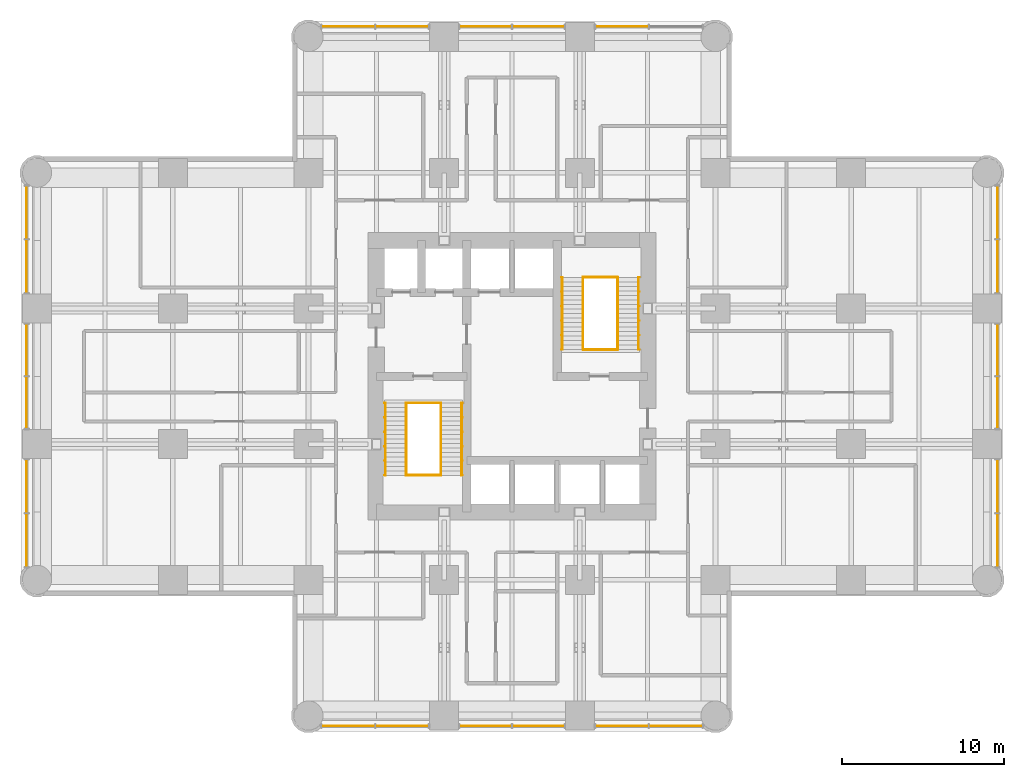
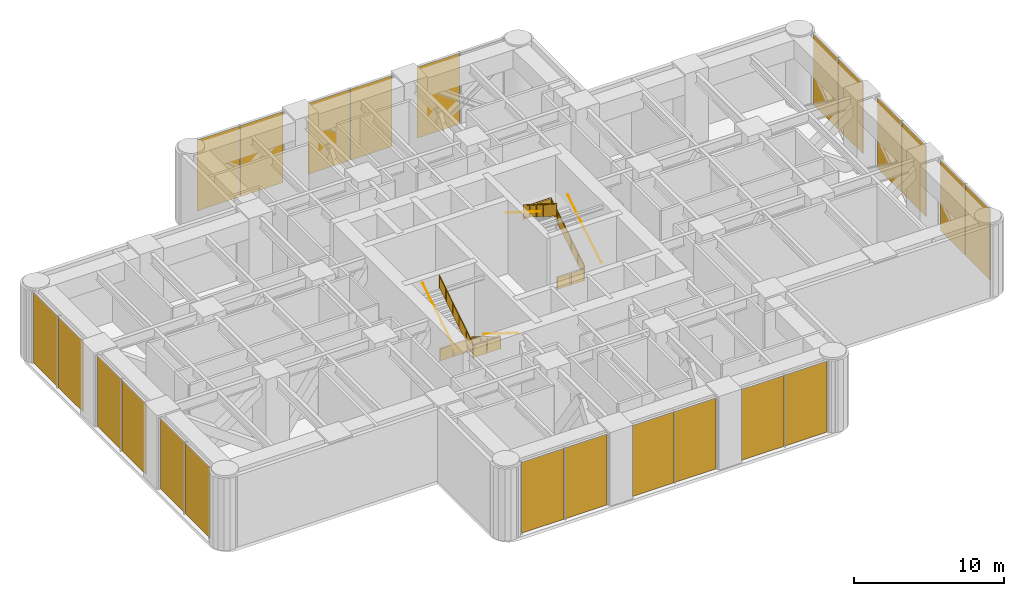
# One storey, part 12 of 13: 23 shading devices, 12 railings, 4 elements without a shape of their own.
"""IFC4 building model written with IfcOpenShell, lengths in metres."""

from ifc_helpers import new_model, si_unit, direction, frame, origin, origin_2d, place, context, subcontext, project, spatial, polyline, rectangle, circle, outline, extrude, material, layer, layer_set, type_object, element, aggregate, save


model = new_model("IFC4")

# Units and contexts
model_context = context("Model", 3, precision=1e-05, world=origin(), true_north=direction((0.0, 1.0)))
body_context = subcontext(model_context, "Body", "Model", "MODEL_VIEW")
ifc_project = project(units=[si_unit("LENGTHUNIT", "METRE"), si_unit("AREAUNIT", "SQUARE_METRE"), si_unit("VOLUMEUNIT", "CUBIC_METRE"), si_unit("PLANEANGLEUNIT", "RADIAN"), si_unit("MASSUNIT", "GRAM", prefix="KILO")], contexts=[model_context])

# Site, building, storey
site_placement = place(None, origin())
site = spatial("IfcSite", under=ifc_project, at=site_placement, CompositionType="ELEMENT")
building_placement = place(site_placement, origin())
building = spatial("IfcBuilding", under=site, at=building_placement, Name="Torre Alcanfor", CompositionType="ELEMENT")
storey_placement = place(building_placement, frame((0.0, 0.0, 177.300048828125)))
storey = spatial("IfcBuildingStorey", under=building, at=storey_placement, Name="L46", CompositionType="ELEMENT", Elevation=177.300048828125)

# Curtain wall, shading devices
ifc_material_1 = material(Name="Aluminium and glass", Category="aluminium")
curtain_wall_type = type_object("IfcCurtainWallType", Name="CW-D plant floor louvre screen", PredefinedType="NOTDEFINED", material=ifc_material_1)
curtain_wall_1_placement = place(storey_placement, origin())
curtain_wall_1 = element("IfcCurtainWall", 1, at=curtain_wall_1_placement, inside=storey, type_object=curtain_wall_type, Name="Curtain wall CW-D L46 2", PredefinedType="NOTDEFINED")
ifc_material_2 = material(Name="Aluminium louvre", Category="aluminium")
ifc_layer = layer(ifc_material_2, 0.028076171875)
ifc_layer_set = layer_set([ifc_layer], Name="CW-D aluminium louvre panel")
shading_device_type = type_object("IfcShadingDeviceType", Name="CW-D aluminium louvre panel", PredefinedType="SHUTTER", material=ifc_layer_set)
shading_device_1_placement = place(storey_placement, frame((-0.64990234375, 39.544189453125, 0.0), z_axis=(0.0, 0.0, 1.0), x_axis=(0.0, -1.0, 0.0)))
shading_device_1 = element("IfcShadingDevice", 2, at=shading_device_1_placement, type_object=shading_device_type, Name="CW-D panel 1.1.1", PredefinedType="SHUTTER", context=body_context, shape_type="SweptSolid", body=[
    extrude(rectangle(XDim=3.27294921875, YDim=0.028076171875, at=origin_2d()), origin(), (0.0, 0.0, 1.0), 5.784912109375),
])
shading_device_2_placement = place(storey_placement, frame((-0.64990234375, 36.20654296875, 0.0), z_axis=(0.0, 0.0, 1.0), x_axis=(0.0, -1.0, 0.0)))
shading_device_2 = element("IfcShadingDevice", 3, at=shading_device_2_placement, type_object=shading_device_type, Name="CW-D panel 1.2.1", PredefinedType="SHUTTER", context=body_context, shape_type="SweptSolid", body=[
    extrude(rectangle(XDim=3.27294921875, YDim=0.028076171875, at=origin_2d()), origin(), (0.0, 0.0, 1.0), 5.784912109375),
])
shading_device_3_placement = place(storey_placement, frame((-0.64990234375, 31.03125, 0.0), z_axis=(0.0, 0.0, 1.0), x_axis=(0.0, -1.0, 0.0)))
shading_device_3 = element("IfcShadingDevice", 4, at=shading_device_3_placement, type_object=shading_device_type, Name="CW-D panel 2.1.1", PredefinedType="SHUTTER", context=body_context, shape_type="SweptSolid", body=[
    extrude(rectangle(XDim=3.197509765625, YDim=0.028076171875, at=origin_2d()), origin(), (0.0, 0.0, 1.0), 5.784912109375),
])
shading_device_4_placement = place(storey_placement, frame((-0.64990234375, 27.768798828125, 0.0), z_axis=(0.0, 0.0, 1.0), x_axis=(0.0, -1.0, 0.0)))
shading_device_4 = element("IfcShadingDevice", 5, at=shading_device_4_placement, type_object=shading_device_type, Name="CW-D panel 2.2.1", PredefinedType="SHUTTER", context=body_context, shape_type="SweptSolid", body=[
    extrude(rectangle(XDim=3.197509765625, YDim=0.028076171875, at=origin_2d()), origin(), (0.0, 0.0, 1.0), 5.784912109375),
])
shading_device_5_placement = place(storey_placement, frame((-0.64990234375, 22.593505859375, 0.0), z_axis=(0.0, 0.0, 1.0), x_axis=(0.0, -1.0, 0.0)))
shading_device_5 = element("IfcShadingDevice", 6, at=shading_device_5_placement, type_object=shading_device_type, Name="CW-D panel 3.1.1", PredefinedType="SHUTTER", context=body_context, shape_type="SweptSolid", body=[
    extrude(rectangle(XDim=3.27294921875, YDim=0.028076171875, at=origin_2d()), origin(), (0.0, 0.0, 1.0), 5.784912109375),
])
shading_device_6_placement = place(storey_placement, frame((-0.64990234375, 19.255615234375, 0.0), z_axis=(0.0, 0.0, 1.0), x_axis=(0.0, -1.0, 0.0)))
shading_device_6 = element("IfcShadingDevice", 7, at=shading_device_6_placement, type_object=shading_device_type, Name="CW-D panel 3.2.1", PredefinedType="SHUTTER", context=body_context, shape_type="SweptSolid", body=[
    extrude(rectangle(XDim=3.27294921875, YDim=0.028076171875, at=origin_2d()), origin(), (0.0, 0.0, 1.0), 5.784912109375),
])
aggregate(curtain_wall_1, [shading_device_1, shading_device_2, shading_device_3, shading_device_4, shading_device_5, shading_device_6])

curtain_wall_2_placement = place(storey_placement, origin())
curtain_wall_2 = element("IfcCurtainWall", 8, at=curtain_wall_2_placement, inside=storey, type_object=curtain_wall_type, Name="Curtain wall CW-D L46 5", PredefinedType="NOTDEFINED")
shading_device_7_placement = place(storey_placement, frame((19.255615234375, 7.75, 0.0), z_axis=(0.0, 0.0, 1.0), x_axis=(1.0, 0.0, 0.0)))
shading_device_7 = element("IfcShadingDevice", 9, at=shading_device_7_placement, type_object=shading_device_type, Name="CW-D panel 1.1.1", PredefinedType="SHUTTER", context=body_context, shape_type="SweptSolid", body=[
    extrude(rectangle(XDim=3.27294921875, YDim=0.028076171875, at=origin_2d()), origin(), (0.0, 0.0, 1.0), 5.784912109375),
])
shading_device_8_placement = place(storey_placement, frame((22.593505859375, 7.75, 0.0), z_axis=(0.0, 0.0, 1.0), x_axis=(1.0, 0.0, 0.0)))
shading_device_8 = element("IfcShadingDevice", 10, at=shading_device_8_placement, type_object=shading_device_type, Name="CW-D panel 1.2.1", PredefinedType="SHUTTER", context=body_context, shape_type="SweptSolid", body=[
    extrude(rectangle(XDim=3.27294921875, YDim=0.028076171875, at=origin_2d()), origin(), (0.0, 0.0, 1.0), 5.784912109375),
])
shading_device_9_placement = place(storey_placement, frame((27.768798828125, 7.75, 0.0), z_axis=(0.0, 0.0, 1.0), x_axis=(1.0, 0.0, 0.0)))
shading_device_9 = element("IfcShadingDevice", 11, at=shading_device_9_placement, type_object=shading_device_type, Name="CW-D panel 2.1.1", PredefinedType="SHUTTER", context=body_context, shape_type="SweptSolid", body=[
    extrude(rectangle(XDim=3.197509765625, YDim=0.028076171875, at=origin_2d()), origin(), (0.0, 0.0, 1.0), 5.784912109375),
])
shading_device_10_placement = place(storey_placement, frame((31.03125, 7.75, 0.0), z_axis=(0.0, 0.0, 1.0), x_axis=(1.0, 0.0, 0.0)))
shading_device_10 = element("IfcShadingDevice", 12, at=shading_device_10_placement, type_object=shading_device_type, Name="CW-D panel 2.2.1", PredefinedType="SHUTTER", context=body_context, shape_type="SweptSolid", body=[
    extrude(rectangle(XDim=3.197509765625, YDim=0.028076171875, at=origin_2d()), origin(), (0.0, 0.0, 1.0), 5.784912109375),
])
shading_device_11_placement = place(storey_placement, frame((36.20654296875, 7.75, 0.0), z_axis=(0.0, 0.0, 1.0), x_axis=(1.0, 0.0, 0.0)))
shading_device_11 = element("IfcShadingDevice", 13, at=shading_device_11_placement, type_object=shading_device_type, Name="CW-D panel 3.1.1", PredefinedType="SHUTTER", context=body_context, shape_type="SweptSolid", body=[
    extrude(rectangle(XDim=3.27294921875, YDim=0.028076171875, at=origin_2d()), origin(), (0.0, 0.0, 1.0), 5.784912109375),
])
shading_device_12_placement = place(storey_placement, frame((39.544189453125, 7.75, 0.0), z_axis=(0.0, 0.0, 1.0), x_axis=(1.0, 0.0, 0.0)))
shading_device_12 = element("IfcShadingDevice", 14, at=shading_device_12_placement, type_object=shading_device_type, Name="CW-D panel 3.2.1", PredefinedType="SHUTTER", context=body_context, shape_type="SweptSolid", body=[
    extrude(rectangle(XDim=3.27294921875, YDim=0.028076171875, at=origin_2d()), origin(), (0.0, 0.0, 1.0), 5.784912109375),
])
aggregate(curtain_wall_2, [shading_device_7, shading_device_8, shading_device_9, shading_device_10, shading_device_11, shading_device_12])

curtain_wall_3_placement = place(storey_placement, origin())
curtain_wall_3 = element("IfcCurtainWall", 15, at=curtain_wall_3_placement, inside=storey, type_object=curtain_wall_type, Name="Curtain wall CW-D L46 8", PredefinedType="NOTDEFINED")
shading_device_13_placement = place(storey_placement, frame((59.449951171875, 19.255615234375, 0.0), z_axis=(0.0, 0.0, 1.0), x_axis=(0.0, 1.0, 0.0)))
shading_device_13 = element("IfcShadingDevice", 16, at=shading_device_13_placement, type_object=shading_device_type, Name="CW-D panel 1.1.1", PredefinedType="SHUTTER", context=body_context, shape_type="SweptSolid", body=[
    extrude(rectangle(XDim=3.27294921875, YDim=0.028076171875, at=origin_2d()), origin(), (0.0, 0.0, 1.0), 5.784912109375),
])
shading_device_14_placement = place(storey_placement, frame((59.449951171875, 22.593505859375, 0.0), z_axis=(0.0, 0.0, 1.0), x_axis=(0.0, 1.0, 0.0)))
shading_device_14 = element("IfcShadingDevice", 17, at=shading_device_14_placement, type_object=shading_device_type, Name="CW-D panel 1.2.1", PredefinedType="SHUTTER", context=body_context, shape_type="SweptSolid", body=[
    extrude(rectangle(XDim=3.27294921875, YDim=0.028076171875, at=origin_2d()), origin(), (0.0, 0.0, 1.0), 5.784912109375),
])
shading_device_15_placement = place(storey_placement, frame((59.449951171875, 27.768798828125, 0.0), z_axis=(0.0, 0.0, 1.0), x_axis=(0.0, 1.0, 0.0)))
shading_device_15 = element("IfcShadingDevice", 18, at=shading_device_15_placement, type_object=shading_device_type, Name="CW-D panel 2.1.1", PredefinedType="SHUTTER", context=body_context, shape_type="SweptSolid", body=[
    extrude(rectangle(XDim=3.197509765625, YDim=0.028076171875, at=origin_2d()), origin(), (0.0, 0.0, 1.0), 5.784912109375),
])
shading_device_16_placement = place(storey_placement, frame((59.449951171875, 31.03125, 0.0), z_axis=(0.0, 0.0, 1.0), x_axis=(0.0, 1.0, 0.0)))
shading_device_16 = element("IfcShadingDevice", 19, at=shading_device_16_placement, type_object=shading_device_type, Name="CW-D panel 2.2.1", PredefinedType="SHUTTER", context=body_context, shape_type="SweptSolid", body=[
    extrude(rectangle(XDim=3.197509765625, YDim=0.028076171875, at=origin_2d()), origin(), (0.0, 0.0, 1.0), 5.784912109375),
])
shading_device_17_placement = place(storey_placement, frame((59.449951171875, 36.20654296875, 0.0), z_axis=(0.0, 0.0, 1.0), x_axis=(0.0, 1.0, 0.0)))
shading_device_17 = element("IfcShadingDevice", 20, at=shading_device_17_placement, type_object=shading_device_type, Name="CW-D panel 3.1.1", PredefinedType="SHUTTER", context=body_context, shape_type="SweptSolid", body=[
    extrude(rectangle(XDim=3.27294921875, YDim=0.028076171875, at=origin_2d()), origin(), (0.0, 0.0, 1.0), 5.784912109375),
])
shading_device_18_placement = place(storey_placement, frame((59.449951171875, 39.544189453125, 0.0), z_axis=(0.0, 0.0, 1.0), x_axis=(0.0, 1.0, 0.0)))
shading_device_18 = element("IfcShadingDevice", 21, at=shading_device_18_placement, type_object=shading_device_type, Name="CW-D panel 3.2.1", PredefinedType="SHUTTER", context=body_context, shape_type="SweptSolid", body=[
    extrude(rectangle(XDim=3.27294921875, YDim=0.028076171875, at=origin_2d()), origin(), (0.0, 0.0, 1.0), 5.784912109375),
])
aggregate(curtain_wall_3, [shading_device_13, shading_device_14, shading_device_15, shading_device_16, shading_device_17, shading_device_18])

curtain_wall_4_placement = place(storey_placement, origin())
curtain_wall_4 = element("IfcCurtainWall", 22, at=curtain_wall_4_placement, inside=storey, type_object=curtain_wall_type, Name="Curtain wall CW-D L46 11", PredefinedType="NOTDEFINED")
shading_device_19_placement = place(storey_placement, frame((36.20654296875, 51.050048828125, 0.0), z_axis=(0.0, 0.0, 1.0), x_axis=(-1.0, 0.0, 0.0)))
shading_device_19 = element("IfcShadingDevice", 23, at=shading_device_19_placement, type_object=shading_device_type, Name="CW-D panel 1.2.1", PredefinedType="SHUTTER", context=body_context, shape_type="SweptSolid", body=[
    extrude(rectangle(XDim=3.27294921875, YDim=0.028076171875, at=origin_2d()), origin(), (0.0, 0.0, 1.0), 5.784912109375),
])
shading_device_20_placement = place(storey_placement, frame((31.03125, 51.050048828125, 0.0), z_axis=(0.0, 0.0, 1.0), x_axis=(-1.0, 0.0, 0.0)))
shading_device_20 = element("IfcShadingDevice", 24, at=shading_device_20_placement, type_object=shading_device_type, Name="CW-D panel 2.1.1", PredefinedType="SHUTTER", context=body_context, shape_type="SweptSolid", body=[
    extrude(rectangle(XDim=3.197509765625, YDim=0.028076171875, at=origin_2d()), origin(), (0.0, 0.0, 1.0), 5.784912109375),
])
shading_device_21_placement = place(storey_placement, frame((27.768798828125, 51.050048828125, 0.0), z_axis=(0.0, 0.0, 1.0), x_axis=(-1.0, 0.0, 0.0)))
shading_device_21 = element("IfcShadingDevice", 25, at=shading_device_21_placement, type_object=shading_device_type, Name="CW-D panel 2.2.1", PredefinedType="SHUTTER", context=body_context, shape_type="SweptSolid", body=[
    extrude(rectangle(XDim=3.197509765625, YDim=0.028076171875, at=origin_2d()), origin(), (0.0, 0.0, 1.0), 5.784912109375),
])
shading_device_22_placement = place(storey_placement, frame((22.593505859375, 51.050048828125, 0.0), z_axis=(0.0, 0.0, 1.0), x_axis=(-1.0, 0.0, 0.0)))
shading_device_22 = element("IfcShadingDevice", 26, at=shading_device_22_placement, type_object=shading_device_type, Name="CW-D panel 3.1.1", PredefinedType="SHUTTER", context=body_context, shape_type="SweptSolid", body=[
    extrude(rectangle(XDim=3.27294921875, YDim=0.028076171875, at=origin_2d()), origin(), (0.0, 0.0, 1.0), 5.784912109375),
])
shading_device_23_placement = place(storey_placement, frame((19.255615234375, 51.050048828125, 0.0), z_axis=(0.0, 0.0, 1.0), x_axis=(-1.0, 0.0, 0.0)))
shading_device_23 = element("IfcShadingDevice", 27, at=shading_device_23_placement, type_object=shading_device_type, Name="CW-D panel 3.2.1", PredefinedType="SHUTTER", context=body_context, shape_type="SweptSolid", body=[
    extrude(rectangle(XDim=3.27294921875, YDim=0.028076171875, at=origin_2d()), origin(), (0.0, 0.0, 1.0), 5.784912109375),
])
aggregate(curtain_wall_4, [shading_device_19, shading_device_20, shading_device_21, shading_device_22, shading_device_23])

# Railings
ifc_material_3 = material(Name="Steel ASTM A500 Grade C hollow sections", Category="steel")
railing_type_1 = type_object("IfcRailingType", Name="Stair guard and handrail 1100", PredefinedType="GUARDRAIL", material=ifc_material_3)
railing_1_placement = place(storey_placement, frame((25.0, 27.75, 0.176513671875)))
element("IfcRailing", 28, at=railing_1_placement, inside=storey, type_object=railing_type_1, Name="Stair guard S1 L46 flight 1", PredefinedType="GUARDRAIL", context=body_context, shape_type="SweptSolid", body=[
    extrude(circle(Radius=0.02392578125, at=origin_2d()), frame((0.0, 0.0, 1.076171875), z_axis=(0.0, -0.845997938375, 0.533186166611), x_axis=(1.0, 0.0, 0.0)), (0.0, 0.0, 1.0), 5.29541015625),
    extrude(circle(Radius=0.02099609375, at=origin_2d()), origin(), (0.0, 0.0, 1.0), 1.052001953125),
    extrude(circle(Radius=0.02099609375, at=origin_2d()), frame((0.0, -0.89599609375, 0.564697265625)), (0.0, 0.0, 1.0), 1.052001953125),
    extrude(circle(Radius=0.02099609375, at=origin_2d()), frame((0.0, -1.7919921875, 1.12939453125)), (0.0, 0.0, 1.0), 1.052001953125),
    extrude(circle(Radius=0.02099609375, at=origin_2d()), frame((0.0, -2.68798828125, 1.694091796875)), (0.0, 0.0, 1.0), 1.052001953125),
    extrude(circle(Radius=0.02099609375, at=origin_2d()), frame((0.0, -3.583984375, 2.2587890625)), (0.0, 0.0, 1.0), 1.052001953125),
    extrude(circle(Radius=0.02099609375, at=origin_2d()), frame((0.0, -4.47998046875, 2.823486328125)), (0.0, 0.0, 1.0), 1.052001953125),
    extrude(outline(polyline([(0.041015625, 0.075927734375), (0.85498046875, 0.5888671875), (0.85498046875, 1.540771484375), (0.041015625, 1.02783203125), (0.041015625, 0.075927734375)])), frame((0.005859375, 0.0, 0.0), z_axis=(-1.0, 0.0, 0.0), x_axis=(0.0, -1.0, 0.0)), (0.0, 0.0, 1.0), 0.011962890625),
    extrude(outline(polyline([(0.93701171875, 0.640625), (1.7509765625, 1.153564453125), (1.7509765625, 2.10546875), (0.93701171875, 1.592529296875), (0.93701171875, 0.640625)])), frame((0.005859375, 0.0, 0.0), z_axis=(-1.0, 0.0, 0.0), x_axis=(0.0, -1.0, 0.0)), (0.0, 0.0, 1.0), 0.011962890625),
    extrude(outline(polyline([(1.8330078125, 1.205322265625), (2.64697265625, 1.71826171875), (2.64697265625, 2.670166015625), (1.8330078125, 2.1572265625), (1.8330078125, 1.205322265625)])), frame((0.005859375, 0.0, 0.0), z_axis=(-1.0, 0.0, 0.0), x_axis=(0.0, -1.0, 0.0)), (0.0, 0.0, 1.0), 0.011962890625),
    extrude(outline(polyline([(2.72900390625, 1.77001953125), (3.54296875, 2.282958984375), (3.54296875, 3.23486328125), (2.72900390625, 2.721923828125), (2.72900390625, 1.77001953125)])), frame((0.005859375, 0.0, 0.0), z_axis=(-1.0, 0.0, 0.0), x_axis=(0.0, -1.0, 0.0)), (0.0, 0.0, 1.0), 0.011962890625),
    extrude(outline(polyline([(3.625, 2.334716796875), (4.43896484375, 2.84765625), (4.43896484375, 3.799560546875), (3.625, 3.28662109375), (3.625, 2.334716796875)])), frame((0.005859375, 0.0, 0.0), z_axis=(-1.0, 0.0, 0.0), x_axis=(0.0, -1.0, 0.0)), (0.0, 0.0, 1.0), 0.011962890625),
])
railing_2_placement = place(storey_placement, frame((22.85009765625, 23.27001953125, 3.176513671875)))
element("IfcRailing", 29, at=railing_2_placement, inside=storey, type_object=railing_type_1, Name="Stair guard S1 L46 flight 2", PredefinedType="GUARDRAIL", context=body_context, shape_type="SweptSolid", body=[
    extrude(circle(Radius=0.02392578125, at=origin_2d()), frame((0.0, 0.0, 1.076171875), z_axis=(0.0, 0.845997938375, 0.533186166611), x_axis=(-1.0, 0.0, 0.0)), (0.0, 0.0, 1.0), 5.29541015625),
    extrude(circle(Radius=0.02099609375, at=origin_2d()), origin(), (0.0, 0.0, 1.0), 1.052001953125),
    extrude(circle(Radius=0.02099609375, at=origin_2d()), frame((0.0, 0.89599609375, 0.564697265625)), (0.0, 0.0, 1.0), 1.052001953125),
    extrude(circle(Radius=0.02099609375, at=origin_2d()), frame((0.0, 1.7919921875, 1.12939453125)), (0.0, 0.0, 1.0), 1.052001953125),
    extrude(circle(Radius=0.02099609375, at=origin_2d()), frame((0.0, 2.68798828125, 1.694091796875)), (0.0, 0.0, 1.0), 1.052001953125),
    extrude(circle(Radius=0.02099609375, at=origin_2d()), frame((0.0, 3.583984375, 2.2587890625)), (0.0, 0.0, 1.0), 1.052001953125),
    extrude(circle(Radius=0.02099609375, at=origin_2d()), frame((0.0, 4.47998046875, 2.823486328125)), (0.0, 0.0, 1.0), 1.052001953125),
    extrude(outline(polyline([(0.041015625, 0.075927734375), (0.85498046875, 0.5888671875), (0.85498046875, 1.540771484375), (0.041015625, 1.02783203125), (0.041015625, 0.075927734375)])), frame((-0.005859375, 0.0, 0.0), z_axis=(1.0, 0.0, 0.0), x_axis=(0.0, 1.0, 0.0)), (0.0, 0.0, 1.0), 0.011962890625),
    extrude(outline(polyline([(0.93701171875, 0.640625), (1.7509765625, 1.153564453125), (1.7509765625, 2.10546875), (0.93701171875, 1.592529296875), (0.93701171875, 0.640625)])), frame((-0.005859375, 0.0, 0.0), z_axis=(1.0, 0.0, 0.0), x_axis=(0.0, 1.0, 0.0)), (0.0, 0.0, 1.0), 0.011962890625),
    extrude(outline(polyline([(1.8330078125, 1.205322265625), (2.64697265625, 1.71826171875), (2.64697265625, 2.670166015625), (1.8330078125, 2.1572265625), (1.8330078125, 1.205322265625)])), frame((-0.005859375, 0.0, 0.0), z_axis=(1.0, 0.0, 0.0), x_axis=(0.0, 1.0, 0.0)), (0.0, 0.0, 1.0), 0.011962890625),
    extrude(outline(polyline([(2.72900390625, 1.77001953125), (3.54296875, 2.282958984375), (3.54296875, 3.23486328125), (2.72900390625, 2.721923828125), (2.72900390625, 1.77001953125)])), frame((-0.005859375, 0.0, 0.0), z_axis=(1.0, 0.0, 0.0), x_axis=(0.0, 1.0, 0.0)), (0.0, 0.0, 1.0), 0.011962890625),
    extrude(outline(polyline([(3.625, 2.334716796875), (4.43896484375, 2.84765625), (4.43896484375, 3.799560546875), (3.625, 3.28662109375), (3.625, 2.334716796875)])), frame((-0.005859375, 0.0, 0.0), z_axis=(1.0, 0.0, 0.0), x_axis=(0.0, 1.0, 0.0)), (0.0, 0.0, 1.0), 0.011962890625),
])
for number, where, name in (
    (30, (22.85009765625, 27.75, 0.0), "Stair well guard S1 L46 floor landing"),
    (31, (22.85009765625, 23.27001953125, 3.0), "Stair well guard S1 L46 half landing"),
):
    element("IfcRailing", number, at=place(storey_placement, frame(where)), inside=storey, type_object=railing_type_1, Name=name, PredefinedType="GUARDRAIL", context=body_context, shape_type="SweptSolid", body=[
        extrude(circle(Radius=0.02392578125, at=origin_2d()), frame((0.0, 0.0, 1.076171875), z_axis=(1.0, 0.0, 0.0), x_axis=(0.0, 1.0, 0.0)), (0.0, 0.0, 1.0), 2.14990234375),
        extrude(circle(Radius=0.02099609375, at=origin_2d()), origin(), (0.0, 0.0, 1.0), 1.052001953125),
        extrude(circle(Radius=0.02099609375, at=origin_2d()), frame((1.074951171875, 0.0, 0.0)), (0.0, 0.0, 1.0), 1.052001953125),
        extrude(circle(Radius=0.02099609375, at=origin_2d()), frame((2.14990234375, 0.0, 0.0)), (0.0, 0.0, 1.0), 1.052001953125),
        extrude(outline(polyline([(0.041015625, 0.050048828125), (1.033935546875, 0.050048828125), (1.033935546875, 1.001953125), (0.041015625, 1.001953125), (0.041015625, 0.050048828125)])), frame((0.0, 0.005859375, 0.0), z_axis=(0.0, -1.0, 0.0), x_axis=(1.0, 0.0, 0.0)), (0.0, 0.0, 1.0), 0.011962890625),
        extrude(outline(polyline([(1.115966796875, 0.050048828125), (2.10888671875, 0.050048828125), (2.10888671875, 1.001953125), (1.115966796875, 1.001953125), (1.115966796875, 0.050048828125)])), frame((0.0, 0.005859375, 0.0), z_axis=(0.0, -1.0, 0.0), x_axis=(1.0, 0.0, 0.0)), (0.0, 0.0, 1.0), 0.011962890625),
    ])
railing_3_placement = place(storey_placement, frame((35.949951171875, 31.050048828125, 0.176513671875)))
element("IfcRailing", 32, at=railing_3_placement, inside=storey, type_object=railing_type_1, Name="Stair guard S2 L46 flight 1", PredefinedType="GUARDRAIL", context=body_context, shape_type="SweptSolid", body=[
    extrude(circle(Radius=0.02392578125, at=origin_2d()), frame((0.0, 0.0, 1.076171875), z_axis=(0.0, 0.845997938375, 0.533186166611), x_axis=(-1.0, 0.0, 0.0)), (0.0, 0.0, 1.0), 5.29541015625),
    extrude(circle(Radius=0.02099609375, at=origin_2d()), origin(), (0.0, 0.0, 1.0), 1.052001953125),
    extrude(circle(Radius=0.02099609375, at=origin_2d()), frame((0.0, 0.89599609375, 0.564697265625)), (0.0, 0.0, 1.0), 1.052001953125),
    extrude(circle(Radius=0.02099609375, at=origin_2d()), frame((0.0, 1.7919921875, 1.12939453125)), (0.0, 0.0, 1.0), 1.052001953125),
    extrude(circle(Radius=0.02099609375, at=origin_2d()), frame((0.0, 2.68798828125, 1.694091796875)), (0.0, 0.0, 1.0), 1.052001953125),
    extrude(circle(Radius=0.02099609375, at=origin_2d()), frame((0.0, 3.583984375, 2.2587890625)), (0.0, 0.0, 1.0), 1.052001953125),
    extrude(circle(Radius=0.02099609375, at=origin_2d()), frame((0.0, 4.47998046875, 2.823486328125)), (0.0, 0.0, 1.0), 1.052001953125),
    extrude(outline(polyline([(0.041015625, 0.075927734375), (0.85498046875, 0.5888671875), (0.85498046875, 1.540771484375), (0.041015625, 1.02783203125), (0.041015625, 0.075927734375)])), frame((-0.005859375, 0.0, 0.0), z_axis=(1.0, 0.0, 0.0), x_axis=(0.0, 1.0, 0.0)), (0.0, 0.0, 1.0), 0.011962890625),
    extrude(outline(polyline([(0.93701171875, 0.640625), (1.7509765625, 1.153564453125), (1.7509765625, 2.10546875), (0.93701171875, 1.592529296875), (0.93701171875, 0.640625)])), frame((-0.005859375, 0.0, 0.0), z_axis=(1.0, 0.0, 0.0), x_axis=(0.0, 1.0, 0.0)), (0.0, 0.0, 1.0), 0.011962890625),
    extrude(outline(polyline([(1.8330078125, 1.205322265625), (2.64697265625, 1.71826171875), (2.64697265625, 2.670166015625), (1.8330078125, 2.1572265625), (1.8330078125, 1.205322265625)])), frame((-0.005859375, 0.0, 0.0), z_axis=(1.0, 0.0, 0.0), x_axis=(0.0, 1.0, 0.0)), (0.0, 0.0, 1.0), 0.011962890625),
    extrude(outline(polyline([(2.72900390625, 1.77001953125), (3.54296875, 2.282958984375), (3.54296875, 3.23486328125), (2.72900390625, 2.721923828125), (2.72900390625, 1.77001953125)])), frame((-0.005859375, 0.0, 0.0), z_axis=(1.0, 0.0, 0.0), x_axis=(0.0, 1.0, 0.0)), (0.0, 0.0, 1.0), 0.011962890625),
    extrude(outline(polyline([(3.625, 2.334716796875), (4.43896484375, 2.84765625), (4.43896484375, 3.799560546875), (3.625, 3.28662109375), (3.625, 2.334716796875)])), frame((-0.005859375, 0.0, 0.0), z_axis=(1.0, 0.0, 0.0), x_axis=(0.0, 1.0, 0.0)), (0.0, 0.0, 1.0), 0.011962890625),
])
railing_4_placement = place(storey_placement, frame((33.800048828125, 35.530029296875, 3.176513671875)))
element("IfcRailing", 33, at=railing_4_placement, inside=storey, type_object=railing_type_1, Name="Stair guard S2 L46 flight 2", PredefinedType="GUARDRAIL", context=body_context, shape_type="SweptSolid", body=[
    extrude(circle(Radius=0.02392578125, at=origin_2d()), frame((0.0, 0.0, 1.076171875), z_axis=(0.0, -0.845997938375, 0.533186166611), x_axis=(1.0, 0.0, 0.0)), (0.0, 0.0, 1.0), 5.29541015625),
    extrude(circle(Radius=0.02099609375, at=origin_2d()), origin(), (0.0, 0.0, 1.0), 1.052001953125),
    extrude(circle(Radius=0.02099609375, at=origin_2d()), frame((0.0, -0.89599609375, 0.564697265625)), (0.0, 0.0, 1.0), 1.052001953125),
    extrude(circle(Radius=0.02099609375, at=origin_2d()), frame((0.0, -1.7919921875, 1.12939453125)), (0.0, 0.0, 1.0), 1.052001953125),
    extrude(circle(Radius=0.02099609375, at=origin_2d()), frame((0.0, -2.68798828125, 1.694091796875)), (0.0, 0.0, 1.0), 1.052001953125),
    extrude(circle(Radius=0.02099609375, at=origin_2d()), frame((0.0, -3.583984375, 2.2587890625)), (0.0, 0.0, 1.0), 1.052001953125),
    extrude(circle(Radius=0.02099609375, at=origin_2d()), frame((0.0, -4.47998046875, 2.823486328125)), (0.0, 0.0, 1.0), 1.052001953125),
    extrude(outline(polyline([(0.041015625, 0.075927734375), (0.85498046875, 0.5888671875), (0.85498046875, 1.540771484375), (0.041015625, 1.02783203125), (0.041015625, 0.075927734375)])), frame((0.005859375, 0.0, 0.0), z_axis=(-1.0, 0.0, 0.0), x_axis=(0.0, -1.0, 0.0)), (0.0, 0.0, 1.0), 0.011962890625),
    extrude(outline(polyline([(0.93701171875, 0.640625), (1.7509765625, 1.153564453125), (1.7509765625, 2.10546875), (0.93701171875, 1.592529296875), (0.93701171875, 0.640625)])), frame((0.005859375, 0.0, 0.0), z_axis=(-1.0, 0.0, 0.0), x_axis=(0.0, -1.0, 0.0)), (0.0, 0.0, 1.0), 0.011962890625),
    extrude(outline(polyline([(1.8330078125, 1.205322265625), (2.64697265625, 1.71826171875), (2.64697265625, 2.670166015625), (1.8330078125, 2.1572265625), (1.8330078125, 1.205322265625)])), frame((0.005859375, 0.0, 0.0), z_axis=(-1.0, 0.0, 0.0), x_axis=(0.0, -1.0, 0.0)), (0.0, 0.0, 1.0), 0.011962890625),
    extrude(outline(polyline([(2.72900390625, 1.77001953125), (3.54296875, 2.282958984375), (3.54296875, 3.23486328125), (2.72900390625, 2.721923828125), (2.72900390625, 1.77001953125)])), frame((0.005859375, 0.0, 0.0), z_axis=(-1.0, 0.0, 0.0), x_axis=(0.0, -1.0, 0.0)), (0.0, 0.0, 1.0), 0.011962890625),
    extrude(outline(polyline([(3.625, 2.334716796875), (4.43896484375, 2.84765625), (4.43896484375, 3.799560546875), (3.625, 3.28662109375), (3.625, 2.334716796875)])), frame((0.005859375, 0.0, 0.0), z_axis=(-1.0, 0.0, 0.0), x_axis=(0.0, -1.0, 0.0)), (0.0, 0.0, 1.0), 0.011962890625),
])
for number, where, name in (
    (34, (33.800048828125, 31.050048828125, 0.0), "Stair well guard S2 L46 floor landing"),
    (35, (33.800048828125, 35.530029296875, 3.0), "Stair well guard S2 L46 half landing"),
):
    element("IfcRailing", number, at=place(storey_placement, frame(where)), inside=storey, type_object=railing_type_1, Name=name, PredefinedType="GUARDRAIL", context=body_context, shape_type="SweptSolid", body=[
        extrude(circle(Radius=0.02392578125, at=origin_2d()), frame((0.0, 0.0, 1.076171875), z_axis=(1.0, 0.0, 0.0), x_axis=(0.0, 1.0, 0.0)), (0.0, 0.0, 1.0), 2.14990234375),
        extrude(circle(Radius=0.02099609375, at=origin_2d()), origin(), (0.0, 0.0, 1.0), 1.052001953125),
        extrude(circle(Radius=0.02099609375, at=origin_2d()), frame((1.074951171875, 0.0, 0.0)), (0.0, 0.0, 1.0), 1.052001953125),
        extrude(circle(Radius=0.02099609375, at=origin_2d()), frame((2.14990234375, 0.0, 0.0)), (0.0, 0.0, 1.0), 1.052001953125),
        extrude(outline(polyline([(0.041015625, 0.050048828125), (1.033935546875, 0.050048828125), (1.033935546875, 1.001953125), (0.041015625, 1.001953125), (0.041015625, 0.050048828125)])), frame((0.0, 0.005859375, 0.0), z_axis=(0.0, -1.0, 0.0), x_axis=(1.0, 0.0, 0.0)), (0.0, 0.0, 1.0), 0.011962890625),
        extrude(outline(polyline([(1.115966796875, 0.050048828125), (2.10888671875, 0.050048828125), (2.10888671875, 1.001953125), (1.115966796875, 1.001953125), (1.115966796875, 0.050048828125)])), frame((0.0, 0.005859375, 0.0), z_axis=(0.0, -1.0, 0.0), x_axis=(1.0, 0.0, 0.0)), (0.0, 0.0, 1.0), 0.011962890625),
    ])
ifc_material_4 = material(Name="Steel ASTM A500 Grade C hollow sections", Category="steel")
railing_type_2 = type_object("IfcRailingType", Name="Stair wall handrail 900", PredefinedType="HANDRAIL", material=ifc_material_4)
railing_5_placement = place(storey_placement, frame((26.284912109375, 27.75, 0.176513671875)))
element("IfcRailing", 36, at=railing_5_placement, inside=storey, type_object=railing_type_2, Name="Stair handrail S1 L46 flight 1", PredefinedType="HANDRAIL", context=body_context, shape_type="SweptSolid", body=[
    extrude(circle(Radius=0.02392578125, at=origin_2d()), frame((0.0, 0.0, 0.8759765625), z_axis=(0.0, -0.845997938375, 0.533186166611), x_axis=(1.0, 0.0, 0.0)), (0.0, 0.0, 1.0), 5.29541015625),
    extrude(circle(Radius=0.008056640625, at=origin_2d()), frame((0.0, 0.0, 0.8759765625), z_axis=(1.0, 0.0, 0.0), x_axis=(0.0, 0.0, 1.0)), (0.0, 0.0, 1.0), 0.06494140625),
    extrude(circle(Radius=0.008056640625, at=origin_2d()), frame((0.0, -0.89599609375, 1.4404296875), z_axis=(1.0, 0.0, 0.0), x_axis=(0.0, 0.0, 1.0)), (0.0, 0.0, 1.0), 0.06494140625),
    extrude(circle(Radius=0.008056640625, at=origin_2d()), frame((0.0, -1.7919921875, 2.00537109375), z_axis=(1.0, 0.0, 0.0), x_axis=(0.0, 0.0, 1.0)), (0.0, 0.0, 1.0), 0.06494140625),
    extrude(circle(Radius=0.008056640625, at=origin_2d()), frame((0.0, -2.68798828125, 2.56982421875), z_axis=(1.0, 0.0, 0.0), x_axis=(0.0, 0.0, 1.0)), (0.0, 0.0, 1.0), 0.06494140625),
    extrude(circle(Radius=0.008056640625, at=origin_2d()), frame((0.0, -3.583984375, 3.134765625), z_axis=(1.0, 0.0, 0.0), x_axis=(0.0, 0.0, 1.0)), (0.0, 0.0, 1.0), 0.06494140625),
    extrude(circle(Radius=0.008056640625, at=origin_2d()), frame((0.0, -4.47998046875, 3.69921875), z_axis=(1.0, 0.0, 0.0), x_axis=(0.0, 0.0, 1.0)), (0.0, 0.0, 1.0), 0.06494140625),
])
railing_6_placement = place(storey_placement, frame((21.56494140625, 23.27001953125, 3.176513671875)))
element("IfcRailing", 37, at=railing_6_placement, inside=storey, type_object=railing_type_2, Name="Stair handrail S1 L46 flight 2", PredefinedType="HANDRAIL", context=body_context, shape_type="SweptSolid", body=[
    extrude(circle(Radius=0.02392578125, at=origin_2d()), frame((0.0, 0.0, 0.8759765625), z_axis=(0.0, 0.845997938375, 0.533186166611), x_axis=(-1.0, 0.0, 0.0)), (0.0, 0.0, 1.0), 5.29541015625),
    extrude(circle(Radius=0.008056640625, at=origin_2d()), frame((0.0, 0.0, 0.8759765625), z_axis=(-1.0, 0.0, 0.0), x_axis=(0.0, 0.0, 1.0)), (0.0, 0.0, 1.0), 0.06494140625),
    extrude(circle(Radius=0.008056640625, at=origin_2d()), frame((0.0, 0.89599609375, 1.4404296875), z_axis=(-1.0, 0.0, 0.0), x_axis=(0.0, 0.0, 1.0)), (0.0, 0.0, 1.0), 0.06494140625),
    extrude(circle(Radius=0.008056640625, at=origin_2d()), frame((0.0, 1.7919921875, 2.00537109375), z_axis=(-1.0, 0.0, 0.0), x_axis=(0.0, 0.0, 1.0)), (0.0, 0.0, 1.0), 0.06494140625),
    extrude(circle(Radius=0.008056640625, at=origin_2d()), frame((0.0, 2.68798828125, 2.56982421875), z_axis=(-1.0, 0.0, 0.0), x_axis=(0.0, 0.0, 1.0)), (0.0, 0.0, 1.0), 0.06494140625),
    extrude(circle(Radius=0.008056640625, at=origin_2d()), frame((0.0, 3.583984375, 3.134765625), z_axis=(-1.0, 0.0, 0.0), x_axis=(0.0, 0.0, 1.0)), (0.0, 0.0, 1.0), 0.06494140625),
    extrude(circle(Radius=0.008056640625, at=origin_2d()), frame((0.0, 4.47998046875, 3.69921875), z_axis=(-1.0, 0.0, 0.0), x_axis=(0.0, 0.0, 1.0)), (0.0, 0.0, 1.0), 0.06494140625),
])
railing_7_placement = place(storey_placement, frame((37.235107421875, 31.050048828125, 0.176513671875)))
element("IfcRailing", 38, at=railing_7_placement, inside=storey, type_object=railing_type_2, Name="Stair handrail S2 L46 flight 1", PredefinedType="HANDRAIL", context=body_context, shape_type="SweptSolid", body=[
    extrude(circle(Radius=0.02392578125, at=origin_2d()), frame((0.0, 0.0, 0.8759765625), z_axis=(0.0, 0.845997938375, 0.533186166611), x_axis=(-1.0, 0.0, 0.0)), (0.0, 0.0, 1.0), 5.29541015625),
    extrude(circle(Radius=0.008056640625, at=origin_2d()), frame((0.0, 0.0, 0.8759765625), z_axis=(1.0, 0.0, 0.0), x_axis=(0.0, 0.0, 1.0)), (0.0, 0.0, 1.0), 0.06494140625),
    extrude(circle(Radius=0.008056640625, at=origin_2d()), frame((0.0, 0.89599609375, 1.4404296875), z_axis=(1.0, 0.0, 0.0), x_axis=(0.0, 0.0, 1.0)), (0.0, 0.0, 1.0), 0.06494140625),
    extrude(circle(Radius=0.008056640625, at=origin_2d()), frame((0.0, 1.7919921875, 2.00537109375), z_axis=(1.0, 0.0, 0.0), x_axis=(0.0, 0.0, 1.0)), (0.0, 0.0, 1.0), 0.06494140625),
    extrude(circle(Radius=0.008056640625, at=origin_2d()), frame((0.0, 2.68798828125, 2.56982421875), z_axis=(1.0, 0.0, 0.0), x_axis=(0.0, 0.0, 1.0)), (0.0, 0.0, 1.0), 0.06494140625),
    extrude(circle(Radius=0.008056640625, at=origin_2d()), frame((0.0, 3.583984375, 3.134765625), z_axis=(1.0, 0.0, 0.0), x_axis=(0.0, 0.0, 1.0)), (0.0, 0.0, 1.0), 0.06494140625),
    extrude(circle(Radius=0.008056640625, at=origin_2d()), frame((0.0, 4.47998046875, 3.69921875), z_axis=(1.0, 0.0, 0.0), x_axis=(0.0, 0.0, 1.0)), (0.0, 0.0, 1.0), 0.06494140625),
])
railing_8_placement = place(storey_placement, frame((32.514892578125, 35.530029296875, 3.176513671875)))
element("IfcRailing", 39, at=railing_8_placement, inside=storey, type_object=railing_type_2, Name="Stair handrail S2 L46 flight 2", PredefinedType="HANDRAIL", context=body_context, shape_type="SweptSolid", body=[
    extrude(circle(Radius=0.02392578125, at=origin_2d()), frame((0.0, 0.0, 0.8759765625), z_axis=(0.0, -0.845997938375, 0.533186166611), x_axis=(1.0, 0.0, 0.0)), (0.0, 0.0, 1.0), 5.29541015625),
    extrude(circle(Radius=0.008056640625, at=origin_2d()), frame((0.0, 0.0, 0.8759765625), z_axis=(-1.0, 0.0, 0.0), x_axis=(0.0, 0.0, 1.0)), (0.0, 0.0, 1.0), 0.06494140625),
    extrude(circle(Radius=0.008056640625, at=origin_2d()), frame((0.0, -0.89599609375, 1.4404296875), z_axis=(-1.0, 0.0, 0.0), x_axis=(0.0, 0.0, 1.0)), (0.0, 0.0, 1.0), 0.06494140625),
    extrude(circle(Radius=0.008056640625, at=origin_2d()), frame((0.0, -1.7919921875, 2.00537109375), z_axis=(-1.0, 0.0, 0.0), x_axis=(0.0, 0.0, 1.0)), (0.0, 0.0, 1.0), 0.06494140625),
    extrude(circle(Radius=0.008056640625, at=origin_2d()), frame((0.0, -2.68798828125, 2.56982421875), z_axis=(-1.0, 0.0, 0.0), x_axis=(0.0, 0.0, 1.0)), (0.0, 0.0, 1.0), 0.06494140625),
    extrude(circle(Radius=0.008056640625, at=origin_2d()), frame((0.0, -3.583984375, 3.134765625), z_axis=(-1.0, 0.0, 0.0), x_axis=(0.0, 0.0, 1.0)), (0.0, 0.0, 1.0), 0.06494140625),
    extrude(circle(Radius=0.008056640625, at=origin_2d()), frame((0.0, -4.47998046875, 3.69921875), z_axis=(-1.0, 0.0, 0.0), x_axis=(0.0, 0.0, 1.0)), (0.0, 0.0, 1.0), 0.06494140625),
])

save(model, "model.ifc")
